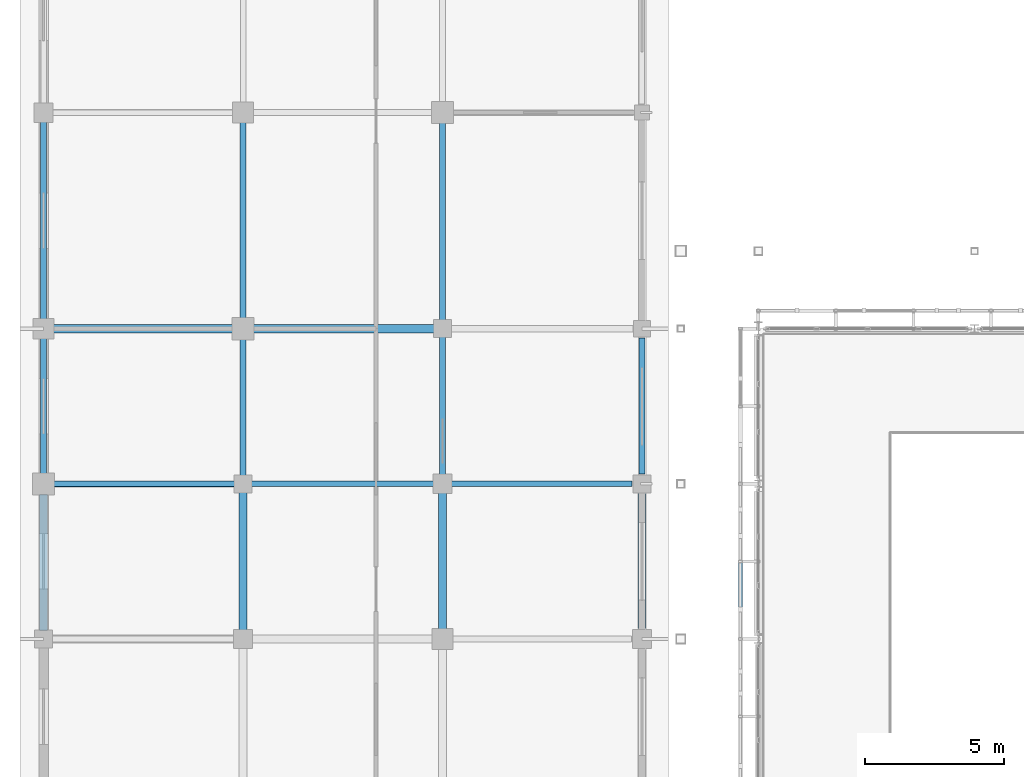
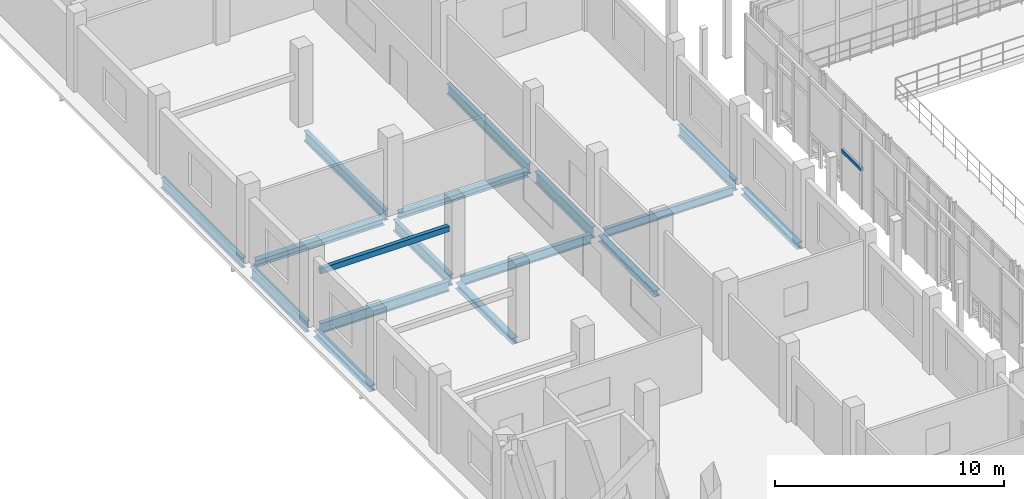
# One storey, part 41 of 121: 17 beams, 1 member.
"""IFC4 building model written with IfcOpenShell, lengths in metres."""

from ifc_helpers import new_model, si_unit, direction, frame, origin, origin_2d, place, context, subcontext, project, spatial, rectangle, i_section, extrude, material, material_profile, profile_set, type_object, element, save


model = new_model("IFC4")

# Units and contexts
model_context = context("Model", 3, precision=1e-05, world=origin(), true_north=direction((0.0, 1.0)))
body_context = subcontext(model_context, "Body", "Model", "MODEL_VIEW")
ifc_project = project(units=[si_unit("LENGTHUNIT", "METRE"), si_unit("AREAUNIT", "SQUARE_METRE"), si_unit("VOLUMEUNIT", "CUBIC_METRE"), si_unit("PLANEANGLEUNIT", "RADIAN"), si_unit("MASSUNIT", "GRAM", prefix="KILO")], contexts=[model_context])

# Site, building, storey
site_placement = place(None, origin())
site = spatial("IfcSite", under=ifc_project, at=site_placement, CompositionType="ELEMENT")
building_placement = place(site_placement, origin())
building = spatial("IfcBuilding", under=site, at=building_placement, Name="Vinh Khe Railworks Police Headquarters", CompositionType="ELEMENT")
storey_placement = place(building_placement, frame((0.0, 0.0, 4.800048828125)))
storey = spatial("IfcBuildingStorey", under=building, at=storey_placement, Name="L01", CompositionType="ELEMENT", Elevation=4.800048828125)

# Member
ifc_material_1 = material(Name="Salvaged ironwood timber", Category="wood")
ifc_material_profile_1 = material_profile(ifc_material_1, rectangle(XDim=0.139892578125, YDim=0.179931640625, at=origin_2d()), Name="TIMBER 140x180")
ifc_profile_set_1 = profile_set([ifc_material_profile_1], Name="Salvaged ironwood timber")
member_type = type_object("IfcMemberType", Name="MEM-QUILT-STILE", PredefinedType="CHORD", material=ifc_profile_set_1)
member_placement = place(storey_placement, frame((25.75, 48.6640625, 2.015869140625), z_axis=(0.0, 1.0, 0.0), x_axis=(-1.0, 0.0, 0.0)))
element("IfcMember", 1, at=member_placement, inside=storey, type_object=member_type, Name="Salvaged Timber Quilt Transom W-L01-08-M1", PredefinedType="CHORD", context=body_context, shape_type="SweptSolid", body=[
    extrude(rectangle(XDim=0.139892578125, YDim=0.179931640625, at=origin_2d()), origin(), (0.0, 0.0, 1.0), 1.73583984375),
])

# Beams
ifc_material_2 = material(Name="Concrete C35/45 (B35)", Category="concrete")
ifc_material_profile_2 = material_profile(ifc_material_2, rectangle(XDim=0.199951171875, YDim=0.300048828125, at=origin_2d()), Name="RC 200x300")
ifc_profile_set_2 = profile_set([ifc_material_profile_2], Name="Concrete C35/45 (B35)")
beam_type_1 = type_object("IfcBeamType", Name="RC Lintel Beam RC 200x300", PredefinedType="LINTEL", material=ifc_profile_set_2)
beam_1_placement = place(storey_placement, frame((0.97998046875, 53.199951171875, 2.550048828125), z_axis=(1.0, 0.0, 0.0), x_axis=(0.0, 1.0, 0.0)))
element("IfcBeam", 2, at=beam_1_placement, inside=storey, type_object=beam_type_1, Name="RC Portal Lintel 07", PredefinedType="LINTEL", context=body_context, shape_type="SweptSolid", body=[
    extrude(rectangle(XDim=0.199951171875, YDim=0.300048828125, at=origin_2d()), origin(), (0.0, 0.0, 1.0), 6.51513671875),
])
ifc_material_3 = material(Name="Steel S355JR", Category="steel")
ifc_material_profile_3 = material_profile(ifc_material_3, i_section(OverallWidth=0.300048828125, OverallDepth=0.330078125, WebThickness=0.009521484375, FlangeThickness=0.0166015625, FilletRadius=0.027099609375, at=origin_2d()), Name="HEA 340")
ifc_profile_set_3 = profile_set([ifc_material_profile_3], Name="Steel S355JR")
beam_type_2 = type_object("IfcBeamType", Name="Steel Girder HEA 340", PredefinedType="BEAM", material=ifc_profile_set_3)
beam_2_placement = place(storey_placement, frame((8.179931640625, 58.800048828125, -0.405029296875), z_axis=(1.0, 0.0, 0.0), x_axis=(0.0, 1.0, 0.0)))
element("IfcBeam", 3, at=beam_2_placement, inside=storey, type_object=beam_type_2, Name="Girder BM-L01-EW-SB-16-0458", PredefinedType="BEAM", context=body_context, shape_type="SweptSolid", body=[
    extrude(i_section(OverallWidth=0.300048828125, OverallDepth=0.330078125, WebThickness=0.009521484375, FlangeThickness=0.0166015625, FilletRadius=0.027099609375, at=origin_2d()), origin(), (0.0, 0.0, 1.0), 6.51513671875),
])
beam_3_placement = place(storey_placement, frame((0.60009765625, 47.905029296875, -0.405029296875), z_axis=(0.0, 1.0, 0.0), x_axis=(-1.0, 0.0, 0.0)))
element("IfcBeam", 4, at=beam_3_placement, inside=storey, type_object=beam_type_2, Name="Girder BM-L01-NS-SB-16-0566", PredefinedType="BEAM", context=body_context, shape_type="SweptSolid", body=[
    extrude(i_section(OverallWidth=0.300048828125, OverallDepth=0.330078125, WebThickness=0.009521484375, FlangeThickness=0.0166015625, FilletRadius=0.027099609375, at=origin_2d()), origin(), (0.0, 0.0, 1.0), 4.9150390625),
])
beam_4_placement = place(storey_placement, frame((7.800048828125, 47.929931640625, -0.405029296875), z_axis=(0.0, 1.0, 0.0), x_axis=(-1.0, 0.0, 0.0)))
element("IfcBeam", 5, at=beam_4_placement, inside=storey, type_object=beam_type_2, Name="Girder BM-L01-NS-SB-16-0584", PredefinedType="BEAM", context=body_context, shape_type="SweptSolid", body=[
    extrude(i_section(OverallWidth=0.300048828125, OverallDepth=0.330078125, WebThickness=0.009521484375, FlangeThickness=0.0166015625, FilletRadius=0.027099609375, at=origin_2d()), origin(), (0.0, 0.0, 1.0), 4.965087890625),
])
beam_5_placement = place(storey_placement, frame((15.0, 47.955078125, -0.405029296875), z_axis=(0.0, 1.0, 0.0), x_axis=(-1.0, 0.0, 0.0)))
element("IfcBeam", 6, at=beam_5_placement, inside=storey, type_object=beam_type_2, Name="Girder BM-L01-NS-SB-16-0602", PredefinedType="BEAM", context=body_context, shape_type="SweptSolid", body=[
    extrude(i_section(OverallWidth=0.300048828125, OverallDepth=0.330078125, WebThickness=0.009521484375, FlangeThickness=0.0166015625, FilletRadius=0.027099609375, at=origin_2d()), origin(), (0.0, 0.0, 1.0), 4.9150390625),
])
beam_6_placement = place(storey_placement, frame((22.199951171875, 47.97998046875, -0.405029296875), z_axis=(0.0, 1.0, 0.0), x_axis=(-1.0, 0.0, 0.0)))
element("IfcBeam", 7, at=beam_6_placement, inside=storey, type_object=beam_type_2, Name="Girder BM-L01-NS-SB-16-0620", PredefinedType="BEAM", context=body_context, shape_type="SweptSolid", body=[
    extrude(i_section(OverallWidth=0.300048828125, OverallDepth=0.330078125, WebThickness=0.009521484375, FlangeThickness=0.0166015625, FilletRadius=0.027099609375, at=origin_2d()), origin(), (0.0, 0.0, 1.0), 4.864990234375),
])
ifc_material_profile_4 = material_profile(ifc_material_3, i_section(OverallWidth=0.300048828125, OverallDepth=0.35009765625, WebThickness=0.010009765625, FlangeThickness=0.017578125, FilletRadius=0.027099609375, at=origin_2d()), Name="HEA 360")
ifc_profile_set_4 = profile_set([ifc_material_profile_4], Name="Steel S355JR")
beam_type_3 = type_object("IfcBeamType", Name="Steel Girder HEA 360", PredefinedType="BEAM", material=ifc_profile_set_4)
beam_7_placement = place(storey_placement, frame((0.955078125, 58.800048828125, -0.4150390625), z_axis=(1.0, 0.0, 0.0), x_axis=(0.0, 1.0, 0.0)))
element("IfcBeam", 8, at=beam_7_placement, inside=storey, type_object=beam_type_3, Name="Girder BM-L01-EW-SB-15-0457", PredefinedType="BEAM", context=body_context, shape_type="SweptSolid", body=[
    extrude(i_section(OverallWidth=0.300048828125, OverallDepth=0.35009765625, WebThickness=0.010009765625, FlangeThickness=0.017578125, FilletRadius=0.027099609375, at=origin_2d()), origin(), (0.0, 0.0, 1.0), 6.46484375),
])
ifc_material_profile_5 = material_profile(ifc_material_3, i_section(OverallWidth=0.18994140625, OverallDepth=0.449951171875, WebThickness=0.009521484375, FlangeThickness=0.0146484375, FilletRadius=0.02099609375, at=origin_2d()), Name="IPE 450")
ifc_profile_set_5 = profile_set([ifc_material_profile_5], Name="Steel S355JR")
beam_type_4 = type_object("IfcBeamType", Name="Steel Girder IPE 450", PredefinedType="BEAM", material=ifc_profile_set_5)
beam_8_placement = place(storey_placement, frame((15.330078125, 53.199951171875, -0.465087890625), z_axis=(1.0, 0.0, 0.0), x_axis=(0.0, 1.0, 0.0)))
element("IfcBeam", 9, at=beam_8_placement, inside=storey, type_object=beam_type_4, Name="Girder BM-L01-EW-SB-20-0456", PredefinedType="BEAM", context=body_context, shape_type="SweptSolid", body=[
    extrude(i_section(OverallWidth=0.18994140625, OverallDepth=0.449951171875, WebThickness=0.009521484375, FlangeThickness=0.0146484375, FilletRadius=0.02099609375, at=origin_2d()), origin(), (0.0, 0.0, 1.0), 6.514892578125),
])
ifc_material_profile_6 = material_profile(ifc_material_3, i_section(OverallWidth=0.199951171875, OverallDepth=0.5, WebThickness=0.01025390625, FlangeThickness=0.01611328125, FilletRadius=0.02099609375, at=origin_2d()), Name="IPE 500")
ifc_profile_set_6 = profile_set([ifc_material_profile_6], Name="Steel S355JR")
beam_type_5 = type_object("IfcBeamType", Name="Steel Girder IPE 500", PredefinedType="BEAM", material=ifc_profile_set_6)
beam_9_placement = place(storey_placement, frame((8.10498046875, 53.199951171875, -0.489990234375), z_axis=(1.0, 0.0, 0.0), x_axis=(0.0, 1.0, 0.0)))
element("IfcBeam", 10, at=beam_9_placement, inside=storey, type_object=beam_type_5, Name="Girder BM-L01-EW-SB-19-0455", PredefinedType="BEAM", context=body_context, shape_type="SweptSolid", body=[
    extrude(i_section(OverallWidth=0.199951171875, OverallDepth=0.5, WebThickness=0.01025390625, FlangeThickness=0.01611328125, FilletRadius=0.02099609375, at=origin_2d()), origin(), (0.0, 0.0, 1.0), 6.56494140625),
])
ifc_material_profile_7 = material_profile(ifc_material_3, i_section(OverallWidth=0.2099609375, OverallDepth=0.550048828125, WebThickness=0.010986328125, FlangeThickness=0.01708984375, FilletRadius=0.02392578125, at=origin_2d()), Name="IPE 550")
ifc_profile_set_7 = profile_set([ifc_material_profile_7], Name="Steel S355JR")
beam_type_6 = type_object("IfcBeamType", Name="Steel Girder IPE 550", PredefinedType="BEAM", material=ifc_profile_set_7)
beam_10_placement = place(storey_placement, frame((0.97998046875, 53.199951171875, -0.51513671875), z_axis=(1.0, 0.0, 0.0), x_axis=(0.0, 1.0, 0.0)))
element("IfcBeam", 11, at=beam_10_placement, inside=storey, type_object=beam_type_6, Name="Girder BM-L01-EW-SB-18-0454", PredefinedType="BEAM", context=body_context, shape_type="SweptSolid", body=[
    extrude(i_section(OverallWidth=0.2099609375, OverallDepth=0.550048828125, WebThickness=0.010986328125, FlangeThickness=0.01708984375, FilletRadius=0.02392578125, at=origin_2d()), origin(), (0.0, 0.0, 1.0), 6.51513671875),
])
beam_11_placement = place(storey_placement, frame((0.60009765625, 59.155029296875, -0.51513671875), z_axis=(0.0, 1.0, 0.0), x_axis=(-1.0, 0.0, 0.0)))
element("IfcBeam", 12, at=beam_11_placement, inside=storey, type_object=beam_type_6, Name="Girder BM-L01-NS-SB-18-0568", PredefinedType="BEAM", context=body_context, shape_type="SweptSolid", body=[
    extrude(i_section(OverallWidth=0.2099609375, OverallDepth=0.550048828125, WebThickness=0.010986328125, FlangeThickness=0.01708984375, FilletRadius=0.02392578125, at=origin_2d()), origin(), (0.0, 0.0, 1.0), 7.114990234375),
])
beam_12_placement = place(storey_placement, frame((7.800048828125, 59.179931640625, -0.51513671875), z_axis=(0.0, 1.0, 0.0), x_axis=(-1.0, 0.0, 0.0)))
element("IfcBeam", 13, at=beam_12_placement, inside=storey, type_object=beam_type_6, Name="Girder BM-L01-NS-SB-18-0586", PredefinedType="BEAM", context=body_context, shape_type="SweptSolid", body=[
    extrude(i_section(OverallWidth=0.2099609375, OverallDepth=0.550048828125, WebThickness=0.010986328125, FlangeThickness=0.01708984375, FilletRadius=0.02392578125, at=origin_2d()), origin(), (0.0, 0.0, 1.0), 7.065185546875),
])
beam_13_placement = place(storey_placement, frame((15.0, 59.10498046875, -0.51513671875), z_axis=(0.0, 1.0, 0.0), x_axis=(-1.0, 0.0, 0.0)))
element("IfcBeam", 14, at=beam_13_placement, inside=storey, type_object=beam_type_6, Name="Girder BM-L01-NS-SB-18-0604", PredefinedType="BEAM", context=body_context, shape_type="SweptSolid", body=[
    extrude(i_section(OverallWidth=0.2099609375, OverallDepth=0.550048828125, WebThickness=0.010986328125, FlangeThickness=0.01708984375, FilletRadius=0.02392578125, at=origin_2d()), origin(), (0.0, 0.0, 1.0), 7.114990234375),
])
ifc_material_profile_8 = material_profile(ifc_material_3, i_section(OverallWidth=0.219970703125, OverallDepth=0.60009765625, WebThickness=0.011962890625, FlangeThickness=0.01904296875, FilletRadius=0.02392578125, at=origin_2d()), Name="IPE 600")
ifc_profile_set_8 = profile_set([ifc_material_profile_8], Name="Steel S355JR")
beam_type_7 = type_object("IfcBeamType", Name="Steel Girder IPE 600", PredefinedType="BEAM", material=ifc_profile_set_8)
beam_14_placement = place(storey_placement, frame((0.60009765625, 53.580078125, -0.5400390625), z_axis=(0.0, 1.0, 0.0), x_axis=(-1.0, 0.0, 0.0)))
element("IfcBeam", 15, at=beam_14_placement, inside=storey, type_object=beam_type_7, Name="Girder BM-L01-NS-SB-17-0567", PredefinedType="BEAM", context=body_context, shape_type="SweptSolid", body=[
    extrude(i_section(OverallWidth=0.219970703125, OverallDepth=0.60009765625, WebThickness=0.011962890625, FlangeThickness=0.01904296875, FilletRadius=0.02392578125, at=origin_2d()), origin(), (0.0, 0.0, 1.0), 4.864990234375),
])
beam_15_placement = place(storey_placement, frame((7.800048828125, 53.5048828125, -0.5400390625), z_axis=(0.0, 1.0, 0.0), x_axis=(-1.0, 0.0, 0.0)))
element("IfcBeam", 16, at=beam_15_placement, inside=storey, type_object=beam_type_7, Name="Girder BM-L01-NS-SB-17-0585", PredefinedType="BEAM", context=body_context, shape_type="SweptSolid", body=[
    extrude(i_section(OverallWidth=0.219970703125, OverallDepth=0.60009765625, WebThickness=0.011962890625, FlangeThickness=0.01904296875, FilletRadius=0.02392578125, at=origin_2d()), origin(), (0.0, 0.0, 1.0), 4.9150390625),
])
beam_16_placement = place(storey_placement, frame((15.0, 53.530029296875, -0.5400390625), z_axis=(0.0, 1.0, 0.0), x_axis=(-1.0, 0.0, 0.0)))
element("IfcBeam", 17, at=beam_16_placement, inside=storey, type_object=beam_type_7, Name="Girder BM-L01-NS-SB-17-0603", PredefinedType="BEAM", context=body_context, shape_type="SweptSolid", body=[
    extrude(i_section(OverallWidth=0.219970703125, OverallDepth=0.60009765625, WebThickness=0.011962890625, FlangeThickness=0.01904296875, FilletRadius=0.02392578125, at=origin_2d()), origin(), (0.0, 0.0, 1.0), 4.965087890625),
])
beam_17_placement = place(storey_placement, frame((22.199951171875, 53.554931640625, -0.5400390625), z_axis=(0.0, 1.0, 0.0), x_axis=(-1.0, 0.0, 0.0)))
element("IfcBeam", 18, at=beam_17_placement, inside=storey, type_object=beam_type_7, Name="Girder BM-L01-NS-SB-17-0621", PredefinedType="BEAM", context=body_context, shape_type="SweptSolid", body=[
    extrude(i_section(OverallWidth=0.219970703125, OverallDepth=0.60009765625, WebThickness=0.011962890625, FlangeThickness=0.01904296875, FilletRadius=0.02392578125, at=origin_2d()), origin(), (0.0, 0.0, 1.0), 4.9150390625),
])

save(model, "model.ifc")
